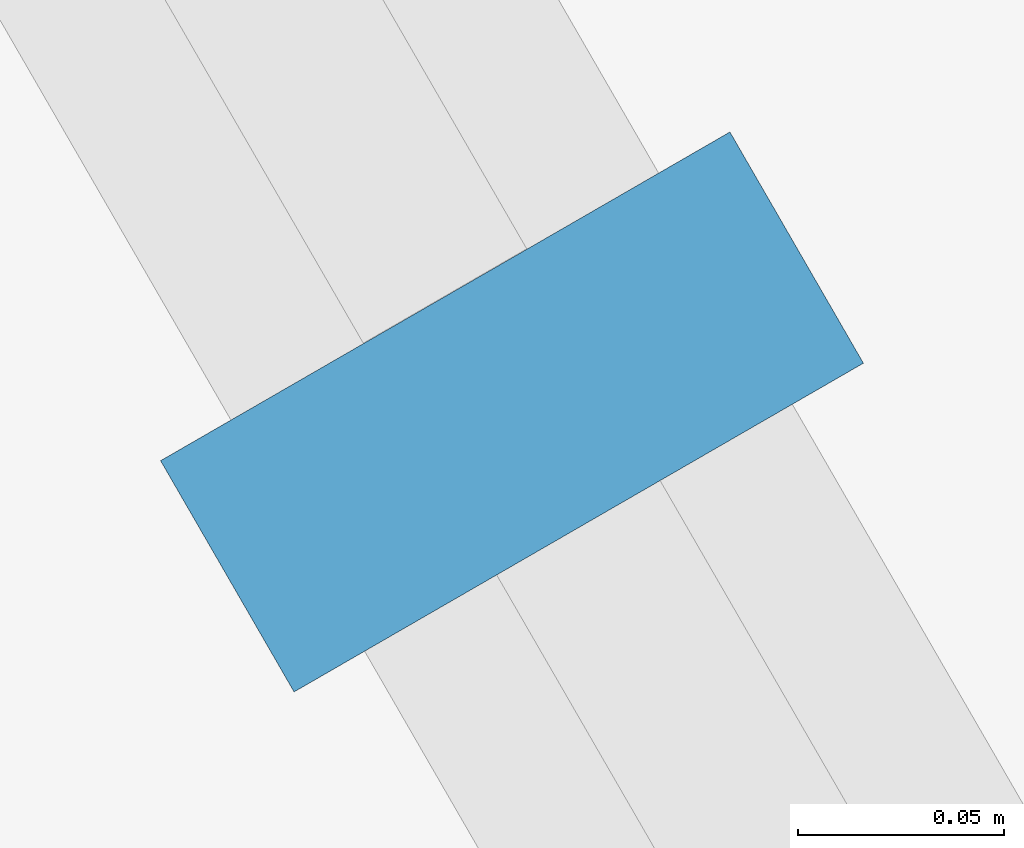
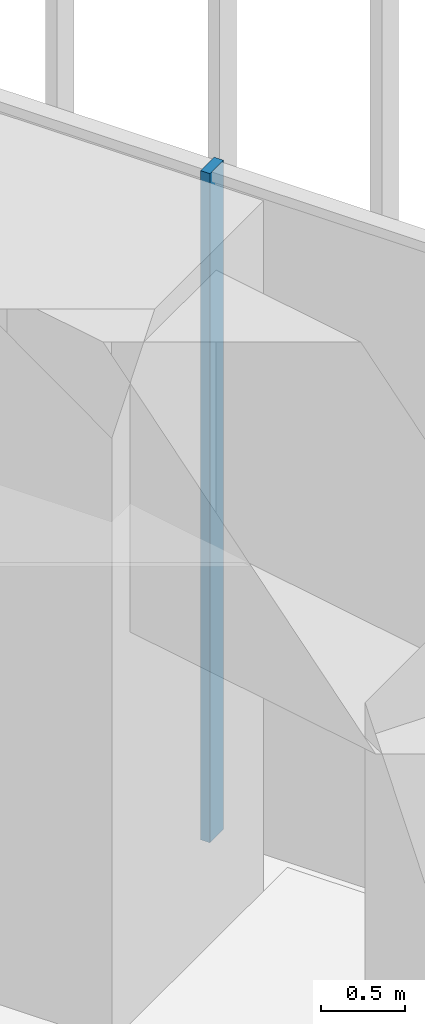
# One storey, part 183 of 228: 1 member, 1 element without a shape of its own.
"""IFC4 building model written with IfcOpenShell, lengths in metres."""

from ifc_helpers import new_model, si_unit, direction, frame, origin, origin_2d, place, context, subcontext, project, spatial, rectangle, extrude, material, material_profile, profile_set, type_object, element, aggregate, save


model = new_model("IFC4")

# Units and contexts
model_context = context("Model", 3, precision=1e-05, world=origin(), true_north=direction((0.0, 1.0)))
body_context = subcontext(model_context, "Body", "Model", "MODEL_VIEW")
ifc_project = project(units=[si_unit("LENGTHUNIT", "METRE"), si_unit("AREAUNIT", "SQUARE_METRE"), si_unit("VOLUMEUNIT", "CUBIC_METRE"), si_unit("PLANEANGLEUNIT", "RADIAN"), si_unit("MASSUNIT", "GRAM", prefix="KILO")], contexts=[model_context])

# Site, building, storey
site_placement = place(None, origin())
site = spatial("IfcSite", under=ifc_project, at=site_placement, CompositionType="ELEMENT")
building_placement = place(site_placement, origin())
building = spatial("IfcBuilding", under=site, at=building_placement, Name="Sandreach Pilgrim Tower", CompositionType="ELEMENT")
storey_placement = place(building_placement, frame((0.0, 0.0, 178.199951171875)))
storey = spatial("IfcBuildingStorey", under=building, at=storey_placement, Name="L44", CompositionType="ELEMENT", Elevation=178.199951171875)

# Curtain wall, member
ifc_material_1 = material(Name="Aluminium framed curtain wall", Category="aluminium")
curtain_wall_type = type_object("IfcCurtainWallType", Name="Upper hotel tower curtain wall", PredefinedType="NOTDEFINED", material=ifc_material_1)
curtain_wall_placement = place(storey_placement, origin())
curtain_wall = element("IfcCurtainWall", 1, at=curtain_wall_placement, inside=storey, type_object=curtain_wall_type, Name="CW-3 L44 NE", PredefinedType="NOTDEFINED")
ifc_material_2 = material(Name="Aluminium extrusion", Category="aluminium")
ifc_material_profile = material_profile(ifc_material_2, rectangle(XDim=0.06494140625, YDim=0.159912109375, at=origin_2d()), Name="CW-3M 65X160")
ifc_profile_set = profile_set([ifc_material_profile], Name="Aluminium extrusion")
member_type = type_object("IfcMemberType", Name="CW-3 mullion", PredefinedType="MULLION", material=ifc_profile_set)
member_placement = place(storey_placement, frame((24.995849609375, 9.75634765625, 0.0), z_axis=(0.0, 0.0, 1.0), x_axis=(0.5, -0.866025403784, 0.0)))
member = element("IfcMember", 2, at=member_placement, type_object=member_type, Name="CW-3 mullion 4", PredefinedType="MULLION", context=body_context, shape_type="SweptSolid", body=[
    extrude(rectangle(XDim=0.06494140625, YDim=0.159912109375, at=origin_2d()), origin(), (0.0, 0.0, 1.0), 4.840087890625),
])
aggregate(curtain_wall, [member])

save(model, "model.ifc")
